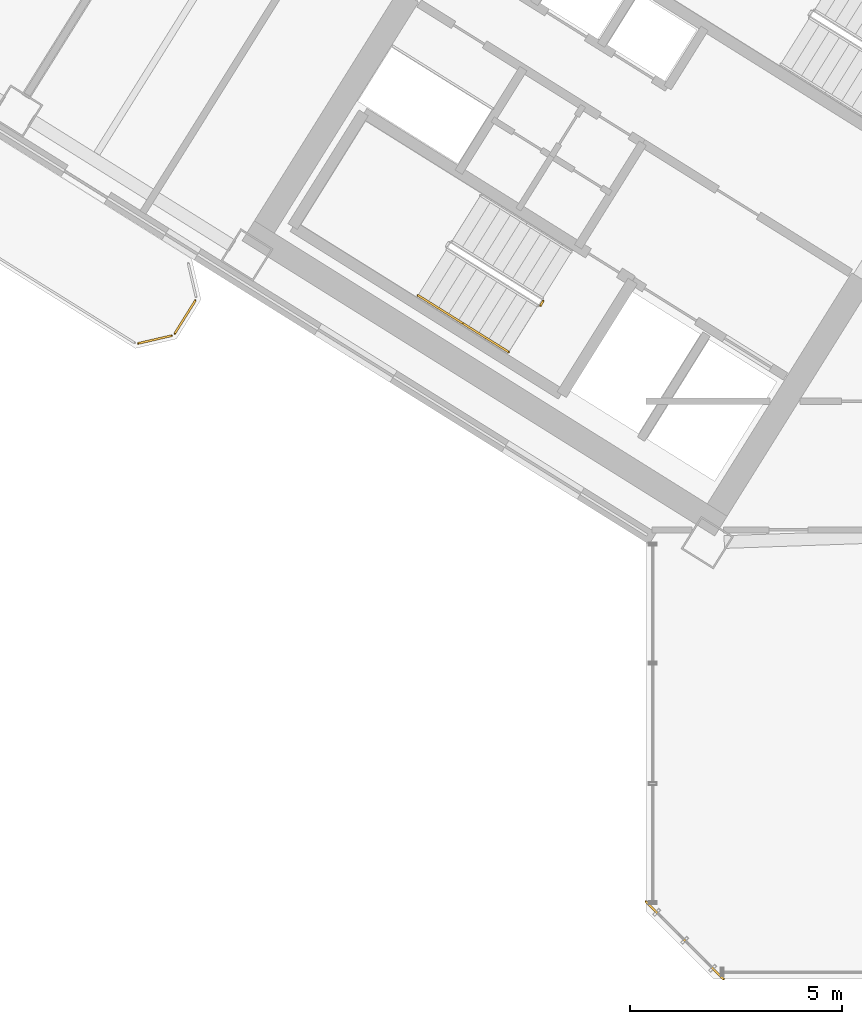
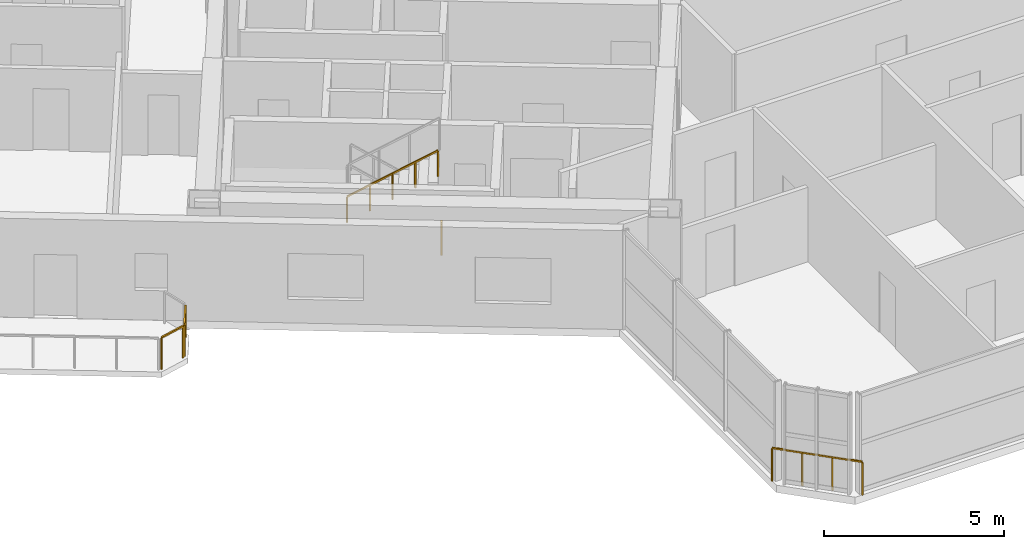
# One storey, part 17 of 21: 6 railings.
"""IFC4 building model written with IfcOpenShell, lengths in metres."""

from ifc_helpers import new_model, si_unit, direction, frame, origin, origin_2d, place, context, subcontext, project, spatial, rectangle, extrude, source, transform, mapped, material, type_object, element, save


model = new_model("IFC4")

# Units and contexts
model_context = context("Model", 3, precision=1e-05, world=origin(), true_north=direction((0.0, 1.0)))
body_context = subcontext(model_context, "Body", "Model", "MODEL_VIEW")
ifc_project = project(units=[si_unit("LENGTHUNIT", "METRE"), si_unit("AREAUNIT", "SQUARE_METRE"), si_unit("VOLUMEUNIT", "CUBIC_METRE"), si_unit("PLANEANGLEUNIT", "RADIAN"), si_unit("MASSUNIT", "GRAM", prefix="KILO")], contexts=[model_context])

# Site, building, storey
site_placement = place(None, origin())
site = spatial("IfcSite", under=ifc_project, at=site_placement, CompositionType="ELEMENT")
building_placement = place(site_placement, origin())
building = spatial("IfcBuilding", under=site, at=building_placement, Name="Tlacorven Tower", CompositionType="ELEMENT")
storey_placement = place(building_placement, frame((0.0, 0.0, 112.5)))
storey = spatial("IfcBuildingStorey", under=building, at=storey_placement, Name="L28", CompositionType="ELEMENT", Elevation=112.5)

# Railings
ifc_material = material(Name="Aluminium and painted steel balustrade", Category="steel")
railing_type_1 = type_object("IfcRailingType", Name="RL-BAL-1100", PredefinedType="BALUSTRADE", material=ifc_material)
shared_shape_1 = source(origin(), body_context, "Body", "SweptSolid", [
    extrude(rectangle(XDim=0.048095703125, YDim=0.048095703125, at=origin_2d()), frame((0.0, 0.0, 1.076171875), z_axis=(-0.52987865805, -0.848073468364, 0.0), x_axis=(0.848073468364, -0.52987865805, 0.0)), (0.0, 0.0, 1.0), 0.912353515625),
    extrude(rectangle(XDim=0.0419921875, YDim=0.0419921875, at=origin_2d()), origin(), (0.0, 0.0, 1.0), 1.052001953125),
    extrude(rectangle(XDim=0.0419921875, YDim=0.0419921875, at=origin_2d()), frame((-0.4833984375, -0.773681640625, 0.0)), (0.0, 0.0, 1.0), 1.052001953125),
])
railing_1_placement = place(storey_placement, frame((20.976318359375, 17.793701171875, 0.0)))
element("IfcRailing", 1, at=railing_1_placement, inside=storey, type_object=railing_type_1, Name="BAL-L28-W-OUT Guard Railing 2", PredefinedType="BALUSTRADE", context=body_context, shape_type="MappedRepresentation", body=[
    mapped(shared_shape_1, transform((0.0, 0.0, 0.0), scale=1.0)),
])
shared_shape_2 = source(origin(), body_context, "Body", "SweptSolid", [
    extrude(rectangle(XDim=0.048095703125, YDim=0.048095703125, at=origin_2d()), frame((0.0, 0.0, 1.076171875), z_axis=(-0.974345290916, -0.225058334816, 0.0), x_axis=(0.225058334816, -0.974345290916, 0.0)), (0.0, 0.0, 1.0), 0.80712890625),
    extrude(rectangle(XDim=0.0419921875, YDim=0.0419921875, at=origin_2d()), origin(), (0.0, 0.0, 1.0), 1.052001953125),
    extrude(rectangle(XDim=0.0419921875, YDim=0.0419921875, at=origin_2d()), frame((-0.786376953125, -0.181640625, 0.0)), (0.0, 0.0, 1.0), 1.052001953125),
])
railing_2_placement = place(storey_placement, frame((20.417724609375, 16.966552734375, 0.0)))
element("IfcRailing", 2, at=railing_2_placement, inside=storey, type_object=railing_type_1, Name="BAL-L28-W-OUT Guard Railing 3", PredefinedType="BALUSTRADE", context=body_context, shape_type="MappedRepresentation", body=[
    mapped(shared_shape_2, transform((0.0, 0.0, 0.0), scale=1.0)),
])
railing_type_2 = type_object("IfcRailingType", Name="RL-GRD-1150", PredefinedType="GUARDRAIL", material=ifc_material)
shared_shape_3 = source(origin(), body_context, "Body", "SweptSolid", [
    extrude(rectangle(XDim=0.048095703125, YDim=0.048095703125, at=origin_2d()), frame((0.0, 0.0, 1.1259765625), z_axis=(-0.707106781187, 0.707106781187, 0.0), x_axis=(-0.707106781187, -0.707106781187, 0.0)), (0.0, 0.0, 1.0), 2.590087890625),
    extrude(rectangle(XDim=0.0419921875, YDim=0.0419921875, at=origin_2d()), origin(), (0.0, 0.0, 1.0), 1.101806640625),
    extrude(rectangle(XDim=0.0419921875, YDim=0.0419921875, at=origin_2d()), frame((-0.610595703125, 0.610595703125, 0.0)), (0.0, 0.0, 1.0), 1.101806640625),
    extrude(rectangle(XDim=0.0419921875, YDim=0.0419921875, at=origin_2d()), frame((-1.220947265625, 1.220947265625, 0.0)), (0.0, 0.0, 1.0), 1.101806640625),
    extrude(rectangle(XDim=0.0419921875, YDim=0.0419921875, at=origin_2d()), frame((-1.83154296875, 1.83154296875, 0.0)), (0.0, 0.0, 1.0), 1.101806640625),
])
railing_3_placement = place(storey_placement, frame((33.428955078125, 1.79736328125, 0.0)))
element("IfcRailing", 3, at=railing_3_placement, inside=storey, type_object=railing_type_2, Name="L28 Knuckle Glazed Sill Guard 1", PredefinedType="GUARDRAIL", context=body_context, shape_type="MappedRepresentation", body=[
    mapped(shared_shape_3, transform((0.0, 0.0, 0.0), scale=1.0)),
])
railing_type_3 = type_object("IfcRailingType", Name="RL-GRD-1100", PredefinedType="GUARDRAIL", material=ifc_material)
shared_shape_4 = source(origin(), body_context, "Body", "SweptSolid", [
    extrude(rectangle(XDim=0.048095703125, YDim=0.048095703125, at=origin_2d()), frame((0.0, 0.0, 1.076171875), z_axis=(-0.529084052582, -0.848569422795, 0.0), x_axis=(0.848569422795, -0.529084052582, 0.0)), (0.0, 0.0, 1.0), 0.119873046875),
    extrude(rectangle(XDim=0.0419921875, YDim=0.0419921875, at=origin_2d()), origin(), (0.0, 0.0, 1.0), 1.052001953125),
    extrude(rectangle(XDim=0.0419921875, YDim=0.0419921875, at=origin_2d()), frame((-0.0634765625, -0.101806640625, 0.0)), (0.0, 0.0, 1.0), 1.052001953125),
])
railing_4_placement = place(storey_placement, frame((29.176513671875, 17.782958984375, 0.0)))
element("IfcRailing", 4, at=railing_4_placement, inside=storey, type_object=railing_type_3, Name="L28 ST-W1 stair guard 4", PredefinedType="GUARDRAIL", context=body_context, shape_type="MappedRepresentation", body=[
    mapped(shared_shape_4, transform((0.0, 0.0, 0.0), scale=1.0)),
])
railing_type_4 = type_object("IfcRailingType", Name="RL-HND-0900", PredefinedType="HANDRAIL", material=ifc_material)
shared_shape_5 = source(origin(), body_context, "Body", "SweptSolid", [
    extrude(rectangle(XDim=0.048095703125, YDim=0.048095703125, at=origin_2d()), frame((0.0, 0.0, 0.8759765625), z_axis=(0.713359751793, -0.4457479829, 0.540764828981), x_axis=(0.529911857636, 0.848052724267, 0.0)), (0.0, 0.0, 1.0), 1.498046875),
    extrude(rectangle(XDim=0.0419921875, YDim=0.0419921875, at=origin_2d()), origin(), (0.0, 0.0, 1.0), 0.851806640625),
    extrude(rectangle(XDim=0.0419921875, YDim=0.0419921875, at=origin_2d()), frame((0.5341796875, -0.333984375, 0.405029296875)), (0.0, 0.0, 1.0), 0.851806640625),
    extrude(rectangle(XDim=0.0419921875, YDim=0.0419921875, at=origin_2d()), frame((1.068603515625, -0.667724609375, 0.81005859375)), (0.0, 0.0, 1.0), 0.851806640625),
])
railing_5_placement = place(storey_placement, frame((26.228759765625, 17.915283203125, 1.97998046875)))
element("IfcRailing", 5, at=railing_5_placement, inside=storey, type_object=railing_type_4, Name="L28 ST-W1 stair handrail 3", PredefinedType="HANDRAIL", context=body_context, shape_type="MappedRepresentation", body=[
    mapped(shared_shape_5, transform((0.0, 0.0, 0.0), scale=1.0)),
])
shared_shape_6 = source(origin(), body_context, "Body", "SweptSolid", [
    extrude(rectangle(XDim=0.048095703125, YDim=0.048095703125, at=origin_2d()), frame((0.0, 0.0, 0.8759765625), z_axis=(0.713279695859, -0.445799809912, 0.540827703579), x_axis=(0.529998940003, 0.847998304005, 0.0)), (0.0, 0.0, 1.0), 1.497802734375),
    extrude(rectangle(XDim=0.0419921875, YDim=0.0419921875, at=origin_2d()), origin(), (0.0, 0.0, 1.0), 0.851806640625),
    extrude(rectangle(XDim=0.0419921875, YDim=0.0419921875, at=origin_2d()), frame((0.5341796875, -0.333984375, 0.405029296875)), (0.0, 0.0, 1.0), 0.851806640625),
    extrude(rectangle(XDim=0.0419921875, YDim=0.0419921875, at=origin_2d()), frame((1.068359375, -0.667724609375, 0.81005859375)), (0.0, 0.0, 1.0), 0.851806640625),
])
railing_6_placement = place(storey_placement, frame((27.29736328125, 17.24755859375, 2.7900390625)))
element("IfcRailing", 6, at=railing_6_placement, inside=storey, type_object=railing_type_4, Name="L28 ST-W1 stair handrail 4", PredefinedType="HANDRAIL", context=body_context, shape_type="MappedRepresentation", body=[
    mapped(shared_shape_6, transform((0.0, 0.0, 0.0), scale=1.0)),
])

save(model, "model.ifc")
